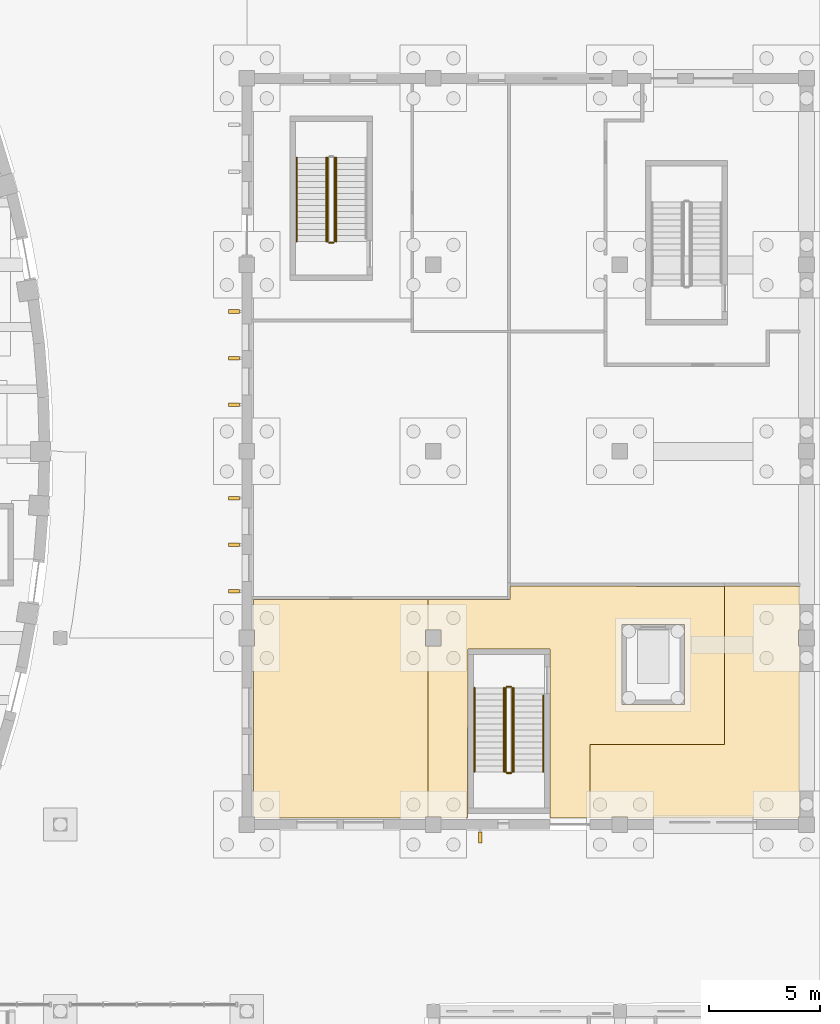
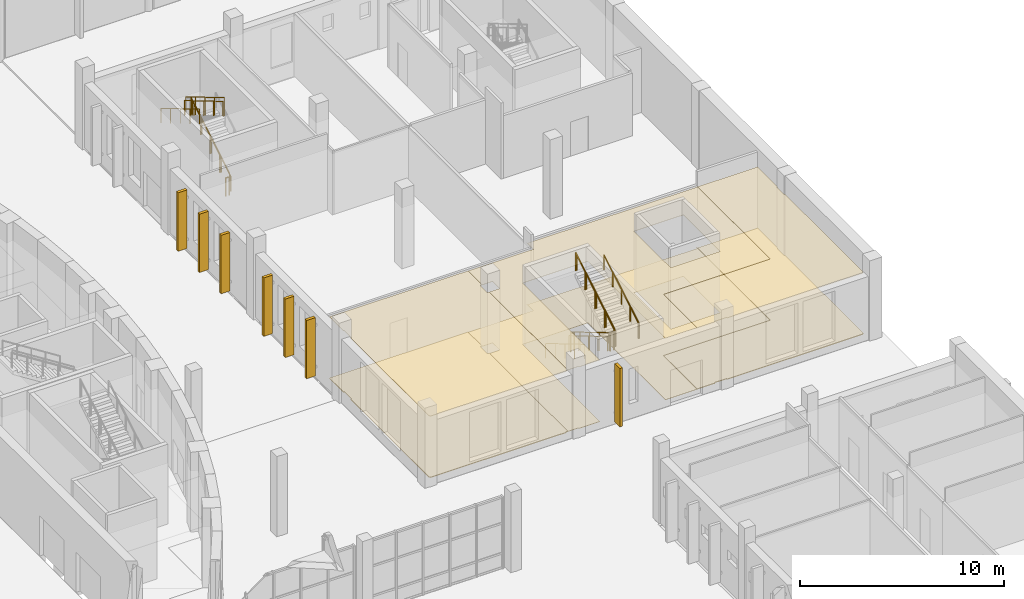
# One storey, part 105 of 110: 14 railings, 13 coverings.
"""IFC4 building model written with IfcOpenShell, lengths in metres."""

from ifc_helpers import new_model, si_unit, direction, frame, origin, origin_2d, place, context, subcontext, project, spatial, polyline, circle, outline, extrude, material, layer, layer_set, type_object, element, save


model = new_model("IFC4")

# Units and contexts
model_context = context("Model", 3, precision=1e-05, world=origin(), true_north=direction((0.0, 1.0)))
body_context = subcontext(model_context, "Body", "Model", "MODEL_VIEW")
ifc_project = project(units=[si_unit("LENGTHUNIT", "METRE"), si_unit("AREAUNIT", "SQUARE_METRE"), si_unit("VOLUMEUNIT", "CUBIC_METRE"), si_unit("PLANEANGLEUNIT", "RADIAN"), si_unit("MASSUNIT", "GRAM", prefix="KILO")], contexts=[model_context])

# Site, building, storey
site_placement = place(None, origin())
site = spatial("IfcSite", under=ifc_project, at=site_placement, CompositionType="ELEMENT")
building_placement = place(site_placement, origin())
building = spatial("IfcBuilding", under=site, at=building_placement, Name="Larchfold Concert Hall", CompositionType="ELEMENT")
storey_placement = place(building_placement, origin())
storey = spatial("IfcBuildingStorey", under=building, at=storey_placement, Name="L00", CompositionType="ELEMENT", Elevation=0.0)

# Coverings
ifc_material_1 = material(Name="Mineral fibre ceiling tile")
ifc_layer_1 = layer(ifc_material_1, 0.02001953125)
ifc_layer_set_1 = layer_set([ifc_layer_1], Name="Mineral fibre ceiling tile")
covering_type_1 = type_object("IfcCoveringType", Name="Ceiling mineral fibre tile 20", PredefinedType="CEILING", material=ifc_layer_set_1)
covering_1_placement = place(storey_placement, frame((0.0, 0.0, 3.68017578125)))
element("IfcCovering", 1, at=covering_1_placement, inside=storey, type_object=covering_type_1, Name="Ceiling Escape Corridor 05", PredefinedType="CEILING", context=body_context, shape_type="SweptSolid", body=[
    extrude(outline(polyline([(84.350341796875, 77.9375), (84.350341796875, 76.550048828125), (84.9501953125, 76.550048828125), (84.9501953125, 75.849853515625), (84.350341796875, 75.849853515625), (84.350830078125, 68.150146484375), (84.9501953125, 68.150146484375), (84.9501953125, 68.10009765625), (86.141845703125, 68.10009765625), (86.14990234375, 75.699951171875), (89.85009765625, 75.699951171875), (89.858154296875, 68.10009765625), (91.649169921875, 68.10009765625), (91.649658203125, 71.40087890625), (97.698974609375, 71.40087890625), (97.698974609375, 78.524169921875), (88.0625, 78.536865234375), (88.0625, 78.611328125), (88.04931640625, 77.936279296875), (84.350341796875, 77.9375)]), holes=[polyline([(95.89990234375, 76.800048828125), (95.89990234375, 73.199951171875), (93.10009765625, 73.199951171875), (93.10009765625, 76.800048828125), (95.89990234375, 76.800048828125)])]), origin(), (0.0, 0.0, 1.0), 0.02001953125),
])
ifc_material_2 = material(Name="Plasterboard ceiling lining")
ifc_layer_2 = layer(ifc_material_2, 0.030029296875)
ifc_layer_set_2 = layer_set([ifc_layer_2], Name="Plasterboard ceiling lining")
covering_type_2 = type_object("IfcCoveringType", Name="Ceiling suspended plasterboard 30", PredefinedType="CEILING", material=ifc_layer_set_2)
covering_2_placement = place(storey_placement, frame((0.0, 0.0, 3.670166015625)))
element("IfcCovering", 2, at=covering_2_placement, inside=storey, type_object=covering_type_2, Name="Ceiling Chamber Hall Foyer", PredefinedType="CEILING", context=body_context, shape_type="SweptSolid", body=[
    extrude(outline(polyline([(84.350341796875, 76.550048828125), (84.350341796875, 77.9375), (76.5, 77.9375), (76.5, 76.550048828125), (76.550048828125, 76.550048828125), (76.550048828125, 75.849853515625), (76.5, 75.849853515625), (76.5, 68.150146484375), (76.550048828125, 68.150146484375), (76.550048828125, 68.10009765625), (84.25, 68.10009765625), (84.25, 68.150146484375), (84.349853515625, 68.150146484375), (84.350341796875, 75.849853515625), (84.25, 75.849853515625), (84.25, 76.550048828125), (84.350341796875, 76.550048828125)])), origin(), (0.0, 0.0, 1.0), 0.030029296875),
])
covering_3_placement = place(storey_placement, frame((0.0, 0.0, 3.670166015625)))
element("IfcCovering", 3, at=covering_3_placement, inside=storey, type_object=covering_type_2, Name="Ceiling Chamber Hall Foyer 01", PredefinedType="CEILING", context=body_context, shape_type="SweptSolid", body=[
    extrude(outline(polyline([(97.698974609375, 78.61181640625), (97.699951171875, 71.39990234375), (91.650146484375, 71.39990234375), (91.650146484375, 68.10009765625), (92.64990234375, 68.10009765625), (92.64990234375, 68.150146484375), (93.35009765625, 68.150146484375), (93.35009765625, 68.10009765625), (101.0498046875, 68.10009765625), (101.0498046875, 68.150146484375), (101.099853515625, 68.150146484375), (101.099853515625, 75.849853515625), (101.0498046875, 75.849853515625), (101.0498046875, 76.550048828125), (101.099853515625, 76.550048828125), (101.099853515625, 78.603515625), (101.095703125, 78.529052734375), (97.70263671875, 78.537109375), (97.698974609375, 78.61181640625)])), origin(), (0.0, 0.0, 1.0), 0.030029296875),
])
ifc_material_3 = material(Name="Polished terrazzo")
ifc_layer_3 = layer(ifc_material_3, 0.0400390625)
ifc_layer_set_3 = layer_set([ifc_layer_3], Name="Polished terrazzo")
covering_type_3 = type_object("IfcCoveringType", Name="Floor finish terrazzo 40", PredefinedType="FLOORING", material=ifc_layer_set_3)
covering_4_placement = place(storey_placement, origin())
element("IfcCovering", 4, at=covering_4_placement, inside=storey, type_object=covering_type_3, Name="Floor finish Chamber Hall Foyer", PredefinedType="FLOORING", context=body_context, shape_type="SweptSolid", body=[
    extrude(outline(polyline([(84.350341796875, 76.550048828125), (84.350341796875, 77.9375), (76.5, 77.9375), (76.5, 76.550048828125), (76.550048828125, 76.550048828125), (76.550048828125, 75.849853515625), (76.5, 75.849853515625), (76.5, 68.150146484375), (76.550048828125, 68.150146484375), (76.550048828125, 68.10009765625), (84.25, 68.10009765625), (84.25, 68.150146484375), (84.349853515625, 68.150146484375), (84.350341796875, 75.849853515625), (84.25, 75.849853515625), (84.25, 76.550048828125), (84.350341796875, 76.550048828125)])), origin(), (0.0, 0.0, 1.0), 0.0400390625),
])
covering_5_placement = place(storey_placement, origin())
element("IfcCovering", 5, at=covering_5_placement, inside=storey, type_object=covering_type_3, Name="Floor finish Chamber Hall Foyer 01", PredefinedType="FLOORING", context=body_context, shape_type="SweptSolid", body=[
    extrude(outline(polyline([(97.698974609375, 78.61181640625), (97.699951171875, 71.39990234375), (91.650146484375, 71.39990234375), (91.650146484375, 68.10009765625), (92.64990234375, 68.10009765625), (92.64990234375, 68.150146484375), (93.35009765625, 68.150146484375), (93.35009765625, 68.10009765625), (101.0498046875, 68.10009765625), (101.0498046875, 68.150146484375), (101.099853515625, 68.150146484375), (101.099853515625, 75.849853515625), (101.0498046875, 75.849853515625), (101.0498046875, 76.550048828125), (101.099853515625, 76.550048828125), (101.099853515625, 78.603515625), (101.095703125, 78.529052734375), (97.70263671875, 78.537109375), (97.698974609375, 78.61181640625)])), origin(), (0.0, 0.0, 1.0), 0.0400390625),
])
ifc_material_4 = material(Name="Linoleum sheet")
ifc_layer_4 = layer(ifc_material_4, 0.02001953125)
ifc_layer_set_4 = layer_set([ifc_layer_4], Name="Linoleum sheet")
covering_type_4 = type_object("IfcCoveringType", Name="Floor finish vinyl 20", PredefinedType="FLOORING", material=ifc_layer_set_4)
covering_6_placement = place(storey_placement, origin())
element("IfcCovering", 6, at=covering_6_placement, inside=storey, type_object=covering_type_4, Name="Floor finish Escape Corridor 05", PredefinedType="FLOORING", context=body_context, shape_type="SweptSolid", body=[
    extrude(outline(polyline([(84.350341796875, 77.9375), (84.350341796875, 76.550048828125), (84.9501953125, 76.550048828125), (84.9501953125, 75.849853515625), (84.350341796875, 75.849853515625), (84.350830078125, 68.150146484375), (84.9501953125, 68.150146484375), (84.9501953125, 68.10009765625), (86.141845703125, 68.10009765625), (86.14990234375, 75.699951171875), (89.85009765625, 75.699951171875), (89.858154296875, 68.10009765625), (91.649169921875, 68.10009765625), (91.649658203125, 71.40087890625), (97.698974609375, 71.40087890625), (97.698974609375, 78.524169921875), (88.0625, 78.536865234375), (88.0625, 78.611328125), (88.04931640625, 77.936279296875), (84.350341796875, 77.9375)]), holes=[polyline([(95.89990234375, 76.800048828125), (95.89990234375, 73.199951171875), (93.10009765625, 73.199951171875), (93.10009765625, 76.800048828125), (95.89990234375, 76.800048828125)])]), origin(), (0.0, 0.0, 1.0), 0.02001953125),
])
ifc_material_5 = material(Name="Glulam GL30c", Category="wood")
ifc_layer_5 = layer(ifc_material_5, 0.159912109375)
ifc_layer_set_5 = layer_set([ifc_layer_5], Name="Glulam GL30c")
covering_type_5 = type_object("IfcCoveringType", Name="Glulam fin 160x500", PredefinedType="CLADDING", material=ifc_layer_set_5)
covering_7_placement = place(storey_placement, frame((0.0, 0.0, 0.199951171875)))
element("IfcCovering", 7, at=covering_7_placement, inside=storey, type_object=covering_type_5, Name="Glulam fin FN-L00-023", PredefinedType="CLADDING", context=body_context, shape_type="SweptSolid", body=[
    extrude(outline(polyline([(75.875, 86.6201171875), (75.875, 86.780029296875), (75.375, 86.780029296875), (75.375, 86.6201171875), (75.875, 86.6201171875)])), origin(), (0.0, 0.0, 1.0), 3.5),
])
covering_8_placement = place(storey_placement, frame((0.0, 0.0, 0.199951171875)))
element("IfcCovering", 8, at=covering_8_placement, inside=storey, type_object=covering_type_5, Name="Glulam fin FN-L00-024", PredefinedType="CLADDING", context=body_context, shape_type="SweptSolid", body=[
    extrude(outline(polyline([(75.875, 88.719970703125), (75.875, 88.8798828125), (75.375, 88.8798828125), (75.375, 88.719970703125), (75.875, 88.719970703125)])), origin(), (0.0, 0.0, 1.0), 3.5),
])
covering_9_placement = place(storey_placement, frame((0.0, 0.0, 0.199951171875)))
element("IfcCovering", 9, at=covering_9_placement, inside=storey, type_object=covering_type_5, Name="Glulam fin FN-L00-025", PredefinedType="CLADDING", context=body_context, shape_type="SweptSolid", body=[
    extrude(outline(polyline([(75.875, 90.820068359375), (75.875, 90.97998046875), (75.375, 90.97998046875), (75.375, 90.820068359375), (75.875, 90.820068359375)])), origin(), (0.0, 0.0, 1.0), 3.5),
])
covering_10_placement = place(storey_placement, frame((0.0, 0.0, 0.199951171875)))
element("IfcCovering", 10, at=covering_10_placement, inside=storey, type_object=covering_type_5, Name="Glulam fin FN-L00-026", PredefinedType="CLADDING", context=body_context, shape_type="SweptSolid", body=[
    extrude(outline(polyline([(75.875, 78.219970703125), (75.875, 78.3798828125), (75.375, 78.3798828125), (75.375, 78.219970703125), (75.875, 78.219970703125)])), origin(), (0.0, 0.0, 1.0), 3.5),
])
covering_11_placement = place(storey_placement, frame((0.0, 0.0, 0.199951171875)))
element("IfcCovering", 11, at=covering_11_placement, inside=storey, type_object=covering_type_5, Name="Glulam fin FN-L00-027", PredefinedType="CLADDING", context=body_context, shape_type="SweptSolid", body=[
    extrude(outline(polyline([(75.875, 80.320068359375), (75.875, 80.47998046875), (75.375, 80.47998046875), (75.375, 80.320068359375), (75.875, 80.320068359375)])), origin(), (0.0, 0.0, 1.0), 3.5),
])
covering_12_placement = place(storey_placement, frame((0.0, 0.0, 0.199951171875)))
element("IfcCovering", 12, at=covering_12_placement, inside=storey, type_object=covering_type_5, Name="Glulam fin FN-L00-028", PredefinedType="CLADDING", context=body_context, shape_type="SweptSolid", body=[
    extrude(outline(polyline([(75.875, 82.419921875), (75.875, 82.580078125), (75.375, 82.580078125), (75.375, 82.419921875), (75.875, 82.419921875)])), origin(), (0.0, 0.0, 1.0), 3.5),
])
covering_13_placement = place(storey_placement, frame((0.0, 0.0, 0.199951171875)))
element("IfcCovering", 13, at=covering_13_placement, inside=storey, type_object=covering_type_5, Name="Glulam fin FN-L00-029", PredefinedType="CLADDING", context=body_context, shape_type="SweptSolid", body=[
    extrude(outline(polyline([(86.780029296875, 66.97509765625), (86.780029296875, 67.47509765625), (86.6201171875, 67.47509765625), (86.6201171875, 66.97509765625), (86.780029296875, 66.97509765625)])), origin(), (0.0, 0.0, 1.0), 3.5),
])

# Railings
ifc_material_6 = material(Name="Stainless steel balustrade", Category="steel")
railing_type_1 = type_object("IfcRailingType", Name="Stair guard 1100", PredefinedType="GUARDRAIL", material=ifc_material_6)
railing_1_placement = place(storey_placement, frame((87.849853515625, 73.949951171875, 0.159912109375)))
element("IfcRailing", 14, at=railing_1_placement, inside=storey, type_object=railing_type_1, Name="Guard GR0065", PredefinedType="GUARDRAIL", context=body_context, shape_type="SweptSolid", body=[
    extrude(circle(Radius=0.02392578125, at=origin_2d()), frame((0.0, 0.0, 1.076171875), z_axis=(0.0, -0.860294241299, 0.509797821089), x_axis=(1.0, 0.0, 0.0)), (0.0, 0.0, 1.0), 4.393798828125),
    extrude(circle(Radius=0.02099609375, at=origin_2d()), origin(), (0.0, 0.0, 1.0), 1.052001953125),
    extrude(circle(Radius=0.02099609375, at=origin_2d()), frame((0.0, -0.945068359375, 0.56005859375)), (0.0, 0.0, 1.0), 1.052001953125),
    extrude(circle(Radius=0.02099609375, at=origin_2d()), frame((0.0, -1.89013671875, 1.1201171875)), (0.0, 0.0, 1.0), 1.052001953125),
    extrude(circle(Radius=0.02099609375, at=origin_2d()), frame((0.0, -2.8349609375, 1.679931640625)), (0.0, 0.0, 1.0), 1.052001953125),
    extrude(circle(Radius=0.02099609375, at=origin_2d()), frame((0.0, -3.780029296875, 2.239990234375)), (0.0, 0.0, 1.0), 1.052001953125),
])
railing_2_placement = place(storey_placement, frame((87.89990234375, 70.119873046875, 2.39990234375)))
element("IfcRailing", 15, at=railing_2_placement, inside=storey, type_object=railing_type_1, Name="Guard GR0066", PredefinedType="GUARDRAIL", context=body_context, shape_type="SweptSolid", body=[
    extrude(circle(Radius=0.02392578125, at=origin_2d()), frame((0.0, 0.0, 1.076171875), z_axis=(1.0, 0.0, 0.0), x_axis=(0.0, 1.0, 0.0)), (0.0, 0.0, 1.0), 0.199951171875),
    extrude(circle(Radius=0.02099609375, at=origin_2d()), origin(), (0.0, 0.0, 1.0), 1.052001953125),
    extrude(circle(Radius=0.02099609375, at=origin_2d()), frame((0.199951171875, 0.0, 0.0)), (0.0, 0.0, 1.0), 1.052001953125),
])
railing_3_placement = place(storey_placement, frame((88.14990234375, 70.169921875, 2.56005859375)))
element("IfcRailing", 16, at=railing_3_placement, inside=storey, type_object=railing_type_1, Name="Guard GR0067", PredefinedType="GUARDRAIL", context=body_context, shape_type="SweptSolid", body=[
    extrude(circle(Radius=0.02392578125, at=origin_2d()), frame((0.0, 0.0, 1.076171875), z_axis=(0.0, 0.860294241299, 0.509797821089), x_axis=(-1.0, 0.0, 0.0)), (0.0, 0.0, 1.0), 4.393798828125),
    extrude(circle(Radius=0.02099609375, at=origin_2d()), origin(), (0.0, 0.0, 1.0), 1.052001953125),
    extrude(circle(Radius=0.02099609375, at=origin_2d()), frame((0.0, 0.945068359375, 0.56005859375)), (0.0, 0.0, 1.0), 1.052001953125),
    extrude(circle(Radius=0.02099609375, at=origin_2d()), frame((0.0, 1.89013671875, 1.1201171875)), (0.0, 0.0, 1.0), 1.052001953125),
    extrude(circle(Radius=0.02099609375, at=origin_2d()), frame((0.0, 2.8349609375, 1.679931640625)), (0.0, 0.0, 1.0), 1.052001953125),
    extrude(circle(Radius=0.02099609375, at=origin_2d()), frame((0.0, 3.780029296875, 2.239990234375)), (0.0, 0.0, 1.0), 1.052001953125),
])
railing_4_placement = place(storey_placement, frame((87.89990234375, 74.0, 0.0)))
element("IfcRailing", 17, at=railing_4_placement, inside=storey, type_object=railing_type_1, Name="Guard GR0068", PredefinedType="GUARDRAIL", context=body_context, shape_type="SweptSolid", body=[
    extrude(circle(Radius=0.02392578125, at=origin_2d()), frame((0.0, 0.0, 1.076171875), z_axis=(1.0, 0.0, 0.0), x_axis=(0.0, 1.0, 0.0)), (0.0, 0.0, 1.0), 0.199951171875),
    extrude(circle(Radius=0.02099609375, at=origin_2d()), origin(), (0.0, 0.0, 1.0), 1.052001953125),
    extrude(circle(Radius=0.02099609375, at=origin_2d()), frame((0.199951171875, 0.0, 0.0)), (0.0, 0.0, 1.0), 1.052001953125),
])
railing_5_placement = place(storey_placement, frame((80.150146484375, 94.050048828125, 0.159912109375)))
element("IfcRailing", 18, at=railing_5_placement, inside=storey, type_object=railing_type_1, Name="Guard GR0069", PredefinedType="GUARDRAIL", context=body_context, shape_type="SweptSolid", body=[
    extrude(circle(Radius=0.02392578125, at=origin_2d()), frame((0.0, 0.0, 1.076171875), z_axis=(0.0, 0.860294241299, 0.509797821089), x_axis=(-1.0, 0.0, 0.0)), (0.0, 0.0, 1.0), 4.393798828125),
    extrude(circle(Radius=0.02099609375, at=origin_2d()), origin(), (0.0, 0.0, 1.0), 1.052001953125),
    extrude(circle(Radius=0.02099609375, at=origin_2d()), frame((0.0, 0.945068359375, 0.56005859375)), (0.0, 0.0, 1.0), 1.052001953125),
    extrude(circle(Radius=0.02099609375, at=origin_2d()), frame((0.0, 1.89013671875, 1.1201171875)), (0.0, 0.0, 1.0), 1.052001953125),
    extrude(circle(Radius=0.02099609375, at=origin_2d()), frame((0.0, 2.8349609375, 1.679931640625)), (0.0, 0.0, 1.0), 1.052001953125),
    extrude(circle(Radius=0.02099609375, at=origin_2d()), frame((0.0, 3.780029296875, 2.239990234375)), (0.0, 0.0, 1.0), 1.052001953125),
])
railing_6_placement = place(storey_placement, frame((79.85009765625, 97.830078125, 2.56005859375)))
element("IfcRailing", 19, at=railing_6_placement, inside=storey, type_object=railing_type_1, Name="Guard GR0071", PredefinedType="GUARDRAIL", context=body_context, shape_type="SweptSolid", body=[
    extrude(circle(Radius=0.02392578125, at=origin_2d()), frame((0.0, 0.0, 1.076171875), z_axis=(0.0, -0.860294241299, 0.509797821089), x_axis=(1.0, 0.0, 0.0)), (0.0, 0.0, 1.0), 4.393798828125),
    extrude(circle(Radius=0.02099609375, at=origin_2d()), origin(), (0.0, 0.0, 1.0), 1.052001953125),
    extrude(circle(Radius=0.02099609375, at=origin_2d()), frame((0.0, -0.945068359375, 0.56005859375)), (0.0, 0.0, 1.0), 1.052001953125),
    extrude(circle(Radius=0.02099609375, at=origin_2d()), frame((0.0, -1.89013671875, 1.1201171875)), (0.0, 0.0, 1.0), 1.052001953125),
    extrude(circle(Radius=0.02099609375, at=origin_2d()), frame((0.0, -2.8349609375, 1.679931640625)), (0.0, 0.0, 1.0), 1.052001953125),
    extrude(circle(Radius=0.02099609375, at=origin_2d()), frame((0.0, -3.780029296875, 2.239990234375)), (0.0, 0.0, 1.0), 1.052001953125),
])
railing_7_placement = place(storey_placement, frame((80.10009765625, 94.0, 0.0)))
element("IfcRailing", 20, at=railing_7_placement, inside=storey, type_object=railing_type_1, Name="Guard GR0072", PredefinedType="GUARDRAIL", context=body_context, shape_type="SweptSolid", body=[
    extrude(circle(Radius=0.02392578125, at=origin_2d()), frame((0.0, 0.0, 1.076171875), z_axis=(-1.0, 0.0, 0.0), x_axis=(0.0, -1.0, 0.0)), (0.0, 0.0, 1.0), 0.199951171875),
    extrude(circle(Radius=0.02099609375, at=origin_2d()), origin(), (0.0, 0.0, 1.0), 1.052001953125),
    extrude(circle(Radius=0.02099609375, at=origin_2d()), frame((-0.199951171875, 0.0, 0.0)), (0.0, 0.0, 1.0), 1.052001953125),
])
ifc_material_7 = material(Name="Stainless steel handrail", Category="steel")
railing_type_2 = type_object("IfcRailingType", Name="Stair handrail 900", PredefinedType="HANDRAIL", material=ifc_material_7)
railing_8_placement = place(storey_placement, frame((86.449951171875, 73.949951171875, 0.159912109375)))
element("IfcRailing", 21, at=railing_8_placement, inside=storey, type_object=railing_type_2, Name="Handrail HR0061", PredefinedType="HANDRAIL", context=body_context, shape_type="SweptSolid", body=[
    extrude(circle(Radius=0.02392578125, at=origin_2d()), frame((0.0, 0.0, 0.8759765625), z_axis=(0.0, -0.860294241299, 0.509797821089), x_axis=(1.0, 0.0, 0.0)), (0.0, 0.0, 1.0), 4.393798828125),
    extrude(circle(Radius=0.02099609375, at=origin_2d()), origin(), (0.0, 0.0, 1.0), 0.851806640625),
    extrude(circle(Radius=0.02099609375, at=origin_2d()), frame((0.0, -0.945068359375, 0.56005859375)), (0.0, 0.0, 1.0), 0.851806640625),
    extrude(circle(Radius=0.02099609375, at=origin_2d()), frame((0.0, -1.89013671875, 1.1201171875)), (0.0, 0.0, 1.0), 0.851806640625),
    extrude(circle(Radius=0.02099609375, at=origin_2d()), frame((0.0, -2.8349609375, 1.679931640625)), (0.0, 0.0, 1.0), 0.851806640625),
    extrude(circle(Radius=0.02099609375, at=origin_2d()), frame((0.0, -3.780029296875, 2.239990234375)), (0.0, 0.0, 1.0), 0.851806640625),
])
railing_9_placement = place(storey_placement, frame((89.5498046875, 70.169921875, 2.56005859375)))
element("IfcRailing", 22, at=railing_9_placement, inside=storey, type_object=railing_type_2, Name="Handrail HR0062", PredefinedType="HANDRAIL", context=body_context, shape_type="SweptSolid", body=[
    extrude(circle(Radius=0.02392578125, at=origin_2d()), frame((0.0, 0.0, 0.8759765625), z_axis=(0.0, 0.860316398594, 0.509760428348), x_axis=(-1.0, 0.0, 0.0)), (0.0, 0.0, 1.0), 3.987060546875),
    extrude(circle(Radius=0.02099609375, at=origin_2d()), origin(), (0.0, 0.0, 1.0), 0.851806640625),
    extrude(circle(Radius=0.02099609375, at=origin_2d()), frame((0.0, 0.857421875, 0.508056640625)), (0.0, 0.0, 1.0), 0.851806640625),
    extrude(circle(Radius=0.02099609375, at=origin_2d()), frame((0.0, 1.715087890625, 1.01611328125)), (0.0, 0.0, 1.0), 0.851806640625),
    extrude(circle(Radius=0.02099609375, at=origin_2d()), frame((0.0, 2.57275390625, 1.5244140625)), (0.0, 0.0, 1.0), 0.851806640625),
    extrude(circle(Radius=0.02099609375, at=origin_2d()), frame((0.0, 3.43017578125, 2.032470703125)), (0.0, 0.0, 1.0), 0.851806640625),
])
railing_10_placement = place(storey_placement, frame((87.77978515625, 73.949951171875, 0.159912109375)))
element("IfcRailing", 23, at=railing_10_placement, inside=storey, type_object=railing_type_2, Name="Handrail HR0063", PredefinedType="HANDRAIL", context=body_context, shape_type="SweptSolid", body=[
    extrude(circle(Radius=0.02392578125, at=origin_2d()), frame((0.0, 0.0, 0.8759765625), z_axis=(0.0, -0.860294241299, 0.509797821089), x_axis=(1.0, 0.0, 0.0)), (0.0, 0.0, 1.0), 4.393798828125),
    extrude(circle(Radius=0.02099609375, at=origin_2d()), origin(), (0.0, 0.0, 1.0), 0.851806640625),
    extrude(circle(Radius=0.02099609375, at=origin_2d()), frame((0.0, -0.945068359375, 0.56005859375)), (0.0, 0.0, 1.0), 0.851806640625),
    extrude(circle(Radius=0.02099609375, at=origin_2d()), frame((0.0, -1.89013671875, 1.1201171875)), (0.0, 0.0, 1.0), 0.851806640625),
    extrude(circle(Radius=0.02099609375, at=origin_2d()), frame((0.0, -2.8349609375, 1.679931640625)), (0.0, 0.0, 1.0), 0.851806640625),
    extrude(circle(Radius=0.02099609375, at=origin_2d()), frame((0.0, -3.780029296875, 2.239990234375)), (0.0, 0.0, 1.0), 0.851806640625),
])
railing_11_placement = place(storey_placement, frame((88.219970703125, 70.169921875, 2.56005859375)))
element("IfcRailing", 24, at=railing_11_placement, inside=storey, type_object=railing_type_2, Name="Handrail HR0064", PredefinedType="HANDRAIL", context=body_context, shape_type="SweptSolid", body=[
    extrude(circle(Radius=0.02392578125, at=origin_2d()), frame((0.0, 0.0, 0.8759765625), z_axis=(0.0, 0.860294241299, 0.509797821089), x_axis=(-1.0, 0.0, 0.0)), (0.0, 0.0, 1.0), 4.393798828125),
    extrude(circle(Radius=0.02099609375, at=origin_2d()), origin(), (0.0, 0.0, 1.0), 0.851806640625),
    extrude(circle(Radius=0.02099609375, at=origin_2d()), frame((0.0, 0.945068359375, 0.56005859375)), (0.0, 0.0, 1.0), 0.851806640625),
    extrude(circle(Radius=0.02099609375, at=origin_2d()), frame((0.0, 1.89013671875, 1.1201171875)), (0.0, 0.0, 1.0), 0.851806640625),
    extrude(circle(Radius=0.02099609375, at=origin_2d()), frame((0.0, 2.8349609375, 1.679931640625)), (0.0, 0.0, 1.0), 0.851806640625),
    extrude(circle(Radius=0.02099609375, at=origin_2d()), frame((0.0, 3.780029296875, 2.239990234375)), (0.0, 0.0, 1.0), 0.851806640625),
])
railing_12_placement = place(storey_placement, frame((78.4501953125, 97.830078125, 2.56005859375)))
element("IfcRailing", 25, at=railing_12_placement, inside=storey, type_object=railing_type_2, Name="Handrail HR0066", PredefinedType="HANDRAIL", context=body_context, shape_type="SweptSolid", body=[
    extrude(circle(Radius=0.02392578125, at=origin_2d()), frame((0.0, 0.0, 0.8759765625), z_axis=(0.0, -0.860294241299, 0.509797821089), x_axis=(1.0, 0.0, 0.0)), (0.0, 0.0, 1.0), 4.393798828125),
    extrude(circle(Radius=0.02099609375, at=origin_2d()), origin(), (0.0, 0.0, 1.0), 0.851806640625),
    extrude(circle(Radius=0.02099609375, at=origin_2d()), frame((0.0, -0.945068359375, 0.56005859375)), (0.0, 0.0, 1.0), 0.851806640625),
    extrude(circle(Radius=0.02099609375, at=origin_2d()), frame((0.0, -1.89013671875, 1.1201171875)), (0.0, 0.0, 1.0), 0.851806640625),
    extrude(circle(Radius=0.02099609375, at=origin_2d()), frame((0.0, -2.8349609375, 1.679931640625)), (0.0, 0.0, 1.0), 0.851806640625),
    extrude(circle(Radius=0.02099609375, at=origin_2d()), frame((0.0, -3.780029296875, 2.239990234375)), (0.0, 0.0, 1.0), 0.851806640625),
])
railing_13_placement = place(storey_placement, frame((80.22021484375, 94.050048828125, 0.159912109375)))
element("IfcRailing", 26, at=railing_13_placement, inside=storey, type_object=railing_type_2, Name="Handrail HR0067", PredefinedType="HANDRAIL", context=body_context, shape_type="SweptSolid", body=[
    extrude(circle(Radius=0.02392578125, at=origin_2d()), frame((0.0, 0.0, 0.8759765625), z_axis=(0.0, 0.860294241299, 0.509797821089), x_axis=(-1.0, 0.0, 0.0)), (0.0, 0.0, 1.0), 4.393798828125),
    extrude(circle(Radius=0.02099609375, at=origin_2d()), origin(), (0.0, 0.0, 1.0), 0.851806640625),
    extrude(circle(Radius=0.02099609375, at=origin_2d()), frame((0.0, 0.945068359375, 0.56005859375)), (0.0, 0.0, 1.0), 0.851806640625),
    extrude(circle(Radius=0.02099609375, at=origin_2d()), frame((0.0, 1.89013671875, 1.1201171875)), (0.0, 0.0, 1.0), 0.851806640625),
    extrude(circle(Radius=0.02099609375, at=origin_2d()), frame((0.0, 2.8349609375, 1.679931640625)), (0.0, 0.0, 1.0), 0.851806640625),
    extrude(circle(Radius=0.02099609375, at=origin_2d()), frame((0.0, 3.780029296875, 2.239990234375)), (0.0, 0.0, 1.0), 0.851806640625),
])
railing_14_placement = place(storey_placement, frame((79.780029296875, 97.830078125, 2.56005859375)))
element("IfcRailing", 27, at=railing_14_placement, inside=storey, type_object=railing_type_2, Name="Handrail HR0068", PredefinedType="HANDRAIL", context=body_context, shape_type="SweptSolid", body=[
    extrude(circle(Radius=0.02392578125, at=origin_2d()), frame((0.0, 0.0, 0.8759765625), z_axis=(0.0, -0.860294241299, 0.509797821089), x_axis=(1.0, 0.0, 0.0)), (0.0, 0.0, 1.0), 4.393798828125),
    extrude(circle(Radius=0.02099609375, at=origin_2d()), origin(), (0.0, 0.0, 1.0), 0.851806640625),
    extrude(circle(Radius=0.02099609375, at=origin_2d()), frame((0.0, -0.945068359375, 0.56005859375)), (0.0, 0.0, 1.0), 0.851806640625),
    extrude(circle(Radius=0.02099609375, at=origin_2d()), frame((0.0, -1.89013671875, 1.1201171875)), (0.0, 0.0, 1.0), 0.851806640625),
    extrude(circle(Radius=0.02099609375, at=origin_2d()), frame((0.0, -2.8349609375, 1.679931640625)), (0.0, 0.0, 1.0), 0.851806640625),
    extrude(circle(Radius=0.02099609375, at=origin_2d()), frame((0.0, -3.780029296875, 2.239990234375)), (0.0, 0.0, 1.0), 0.851806640625),
])

save(model, "model.ifc")
